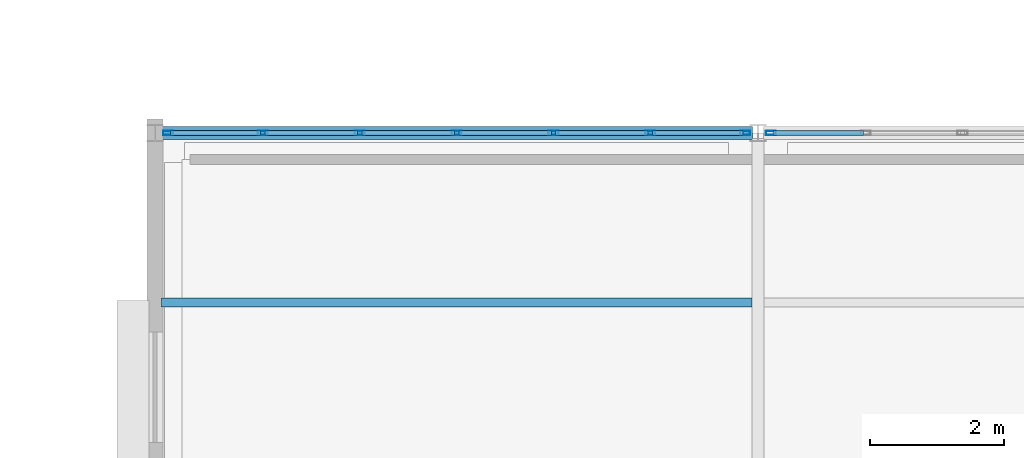
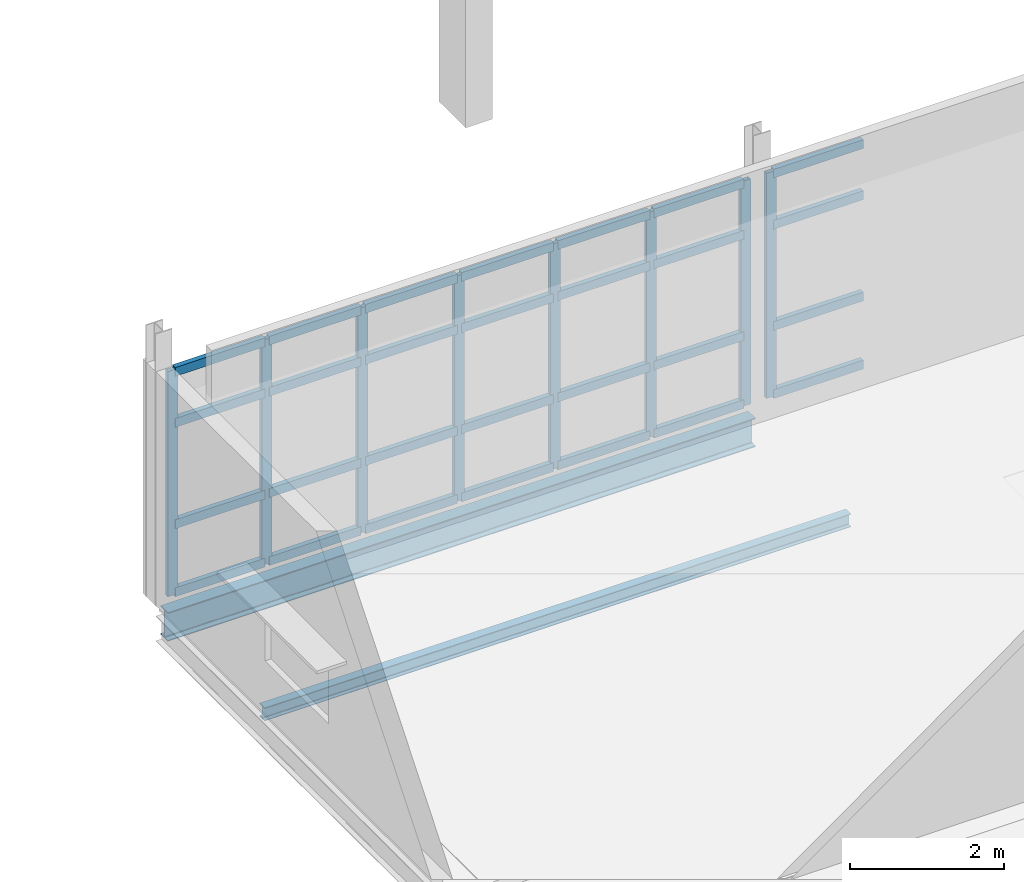
# One storey, part 79 of 166: 36 members, 2 beams, 2 elements without a shape of their own.
"""IFC4 building model written with IfcOpenShell, lengths in metres."""

from ifc_helpers import new_model, si_unit, direction, frame, origin, origin_2d, place, context, subcontext, project, spatial, hollow_rectangle, i_section, extrude, material, material_profile, profile_set, type_object, element, aggregate, save


model = new_model("IFC4")

# Units and contexts
model_context = context("Model", 3, precision=1e-05, world=origin(), true_north=direction((0.0, 1.0)))
body_context = subcontext(model_context, "Body", "Model", "MODEL_VIEW")
ifc_project = project(units=[si_unit("LENGTHUNIT", "METRE"), si_unit("AREAUNIT", "SQUARE_METRE"), si_unit("VOLUMEUNIT", "CUBIC_METRE"), si_unit("PLANEANGLEUNIT", "RADIAN"), si_unit("MASSUNIT", "GRAM", prefix="KILO")], contexts=[model_context])

# Site, building, storey
site_placement = place(None, origin())
site = spatial("IfcSite", under=ifc_project, at=site_placement, CompositionType="ELEMENT")
building_placement = place(site_placement, origin())
building = spatial("IfcBuilding", under=site, at=building_placement, Name="Caisbarro Railhouse Central Library", CompositionType="ELEMENT")
storey_placement = place(building_placement, frame((0.0, 0.0, 9.360107421875)))
storey = spatial("IfcBuildingStorey", under=building, at=storey_placement, Name="L02", CompositionType="ELEMENT", Elevation=9.360107421875)

# Beams
ifc_material_1 = material(Name="Steel ASTM A572 Grade 50", Category="steel")
ifc_material_profile_1 = material_profile(ifc_material_1, i_section(OverallWidth=0.133056640625, OverallDepth=0.20703125, WebThickness=0.005859375, FlangeThickness=0.00830078125, FilletRadius=0.010009765625, at=origin_2d()), Name="W200X26.6")
ifc_profile_set_1 = profile_set([ifc_material_profile_1], Name="Steel ASTM A572 Grade 50")
beam_type_1 = type_object("IfcBeamType", Name="BM-J07", PredefinedType="JOIST", material=ifc_profile_set_1)
beam_1_placement = place(storey_placement, frame((54.089111328125, 103.86669921875, -0.3037109375), z_axis=(1.0, 0.0, 0.0), x_axis=(0.0, 1.0, 0.0)))
element("IfcBeam", 1, at=beam_1_placement, inside=storey, type_object=beam_type_1, Name="J07 beam L02 #1695", PredefinedType="JOIST", context=body_context, shape_type="SweptSolid", body=[
    extrude(i_section(OverallWidth=0.133056640625, OverallDepth=0.20703125, WebThickness=0.005859375, FlangeThickness=0.00830078125, FilletRadius=0.010009765625, at=origin_2d()), origin(), (0.0, 0.0, 1.0), 8.82177734375),
])
ifc_material_profile_2 = material_profile(ifc_material_1, i_section(OverallWidth=0.18994140625, OverallDepth=0.45703125, WebThickness=0.009033203125, FlangeThickness=0.014404296875, FilletRadius=0.01806640625, at=origin_2d()), Name="W460X74.0")
ifc_profile_set_2 = profile_set([ifc_material_profile_2], Name="Steel ASTM A572 Grade 50")
beam_type_2 = type_object("IfcBeamType", Name="BM-SP01", PredefinedType="SPANDREL", material=ifc_profile_set_2)
beam_2_placement = place(storey_placement, frame((54.080078125, 106.39990234375, -0.4287109375), z_axis=(1.0, 0.0, 0.0), x_axis=(0.0, 1.0, 0.0)))
element("IfcBeam", 2, at=beam_2_placement, inside=storey, type_object=beam_type_2, Name="SP01 beam L02 #1667", PredefinedType="SPANDREL", context=body_context, shape_type="SweptSolid", body=[
    extrude(i_section(OverallWidth=0.18994140625, OverallDepth=0.45703125, WebThickness=0.009033203125, FlangeThickness=0.014404296875, FilletRadius=0.01806640625, at=origin_2d()), origin(), (0.0, 0.0, 1.0), 8.83984375),
])

# Curtain wall, members
ifc_material_2 = material(Name="Anodised architectural aluminium", Category="aluminium")
curtain_wall_type = type_object("IfcCurtainWallType", Name="CW-CW03", PredefinedType="NOTDEFINED", material=ifc_material_2)
curtain_wall_1_placement = place(storey_placement, origin())
curtain_wall_1 = element("IfcCurtainWall", 3, at=curtain_wall_1_placement, inside=storey, type_object=curtain_wall_type, Name="CW03 curtain wall L02 #180", PredefinedType="NOTDEFINED")
ifc_material_profile_3 = material_profile(ifc_material_2, hollow_rectangle(XDim=0.06494140625, YDim=0.14990234375, WallThickness=0.00390625, at=origin_2d()), Name="ALU-MUL-65X150")
ifc_profile_set_3 = profile_set([ifc_material_profile_3], Name="Anodised architectural aluminium")
member_type_1 = type_object("IfcMemberType", Name="CWM-M02", PredefinedType="MULLION", material=ifc_profile_set_3)
member_1_placement = place(storey_placement, frame((54.1923828125, 106.39990234375, 0.0), z_axis=(0.0, 0.0, 1.0), x_axis=(0.0, 1.0, 0.0)))
member_1 = element("IfcMember", 4, at=member_1_placement, type_object=member_type_1, Name="CW03 mullion 1", PredefinedType="MULLION", context=body_context, shape_type="SweptSolid", body=[
    extrude(hollow_rectangle(XDim=0.06494140625, YDim=0.14990234375, WallThickness=0.00390625, at=origin_2d()), origin(), (0.0, 0.0, 1.0), 3.579833984375),
])
member_2_placement = place(storey_placement, frame((55.606689453125, 106.39990234375, 0.0), z_axis=(0.0, 0.0, 1.0), x_axis=(0.0, 1.0, 0.0)))
member_2 = element("IfcMember", 5, at=member_2_placement, type_object=member_type_1, Name="CW03 mullion 2", PredefinedType="MULLION", context=body_context, shape_type="SweptSolid", body=[
    extrude(hollow_rectangle(XDim=0.06494140625, YDim=0.14990234375, WallThickness=0.00390625, at=origin_2d()), origin(), (0.0, 0.0, 1.0), 3.579833984375),
])
member_3_placement = place(storey_placement, frame((57.05322265625, 106.39990234375, 0.0), z_axis=(0.0, 0.0, 1.0), x_axis=(0.0, 1.0, 0.0)))
member_3 = element("IfcMember", 6, at=member_3_placement, type_object=member_type_1, Name="CW03 mullion 3", PredefinedType="MULLION", context=body_context, shape_type="SweptSolid", body=[
    extrude(hollow_rectangle(XDim=0.06494140625, YDim=0.14990234375, WallThickness=0.00390625, at=origin_2d()), origin(), (0.0, 0.0, 1.0), 3.579833984375),
])
member_4_placement = place(storey_placement, frame((58.5, 106.39990234375, 0.0), z_axis=(0.0, 0.0, 1.0), x_axis=(0.0, 1.0, 0.0)))
member_4 = element("IfcMember", 7, at=member_4_placement, type_object=member_type_1, Name="CW03 mullion 4", PredefinedType="MULLION", context=body_context, shape_type="SweptSolid", body=[
    extrude(hollow_rectangle(XDim=0.06494140625, YDim=0.14990234375, WallThickness=0.00390625, at=origin_2d()), origin(), (0.0, 0.0, 1.0), 3.579833984375),
])
member_5_placement = place(storey_placement, frame((59.94677734375, 106.39990234375, 0.0), z_axis=(0.0, 0.0, 1.0), x_axis=(0.0, 1.0, 0.0)))
member_5 = element("IfcMember", 8, at=member_5_placement, type_object=member_type_1, Name="CW03 mullion 5", PredefinedType="MULLION", context=body_context, shape_type="SweptSolid", body=[
    extrude(hollow_rectangle(XDim=0.06494140625, YDim=0.14990234375, WallThickness=0.00390625, at=origin_2d()), origin(), (0.0, 0.0, 1.0), 3.579833984375),
])
member_6_placement = place(storey_placement, frame((61.393310546875, 106.39990234375, 0.0), z_axis=(0.0, 0.0, 1.0), x_axis=(0.0, 1.0, 0.0)))
member_6 = element("IfcMember", 9, at=member_6_placement, type_object=member_type_1, Name="CW03 mullion 6", PredefinedType="MULLION", context=body_context, shape_type="SweptSolid", body=[
    extrude(hollow_rectangle(XDim=0.06494140625, YDim=0.14990234375, WallThickness=0.00390625, at=origin_2d()), origin(), (0.0, 0.0, 1.0), 3.579833984375),
])
member_7_placement = place(storey_placement, frame((62.8076171875, 106.39990234375, 0.0), z_axis=(0.0, 0.0, 1.0), x_axis=(0.0, 1.0, 0.0)))
member_7 = element("IfcMember", 10, at=member_7_placement, type_object=member_type_1, Name="CW03 mullion 7", PredefinedType="MULLION", context=body_context, shape_type="SweptSolid", body=[
    extrude(hollow_rectangle(XDim=0.06494140625, YDim=0.14990234375, WallThickness=0.00390625, at=origin_2d()), origin(), (0.0, 0.0, 1.0), 3.579833984375),
])

# Curtain wall, member
curtain_wall_2_placement = place(storey_placement, origin())
curtain_wall_2 = element("IfcCurtainWall", 11, at=curtain_wall_2_placement, inside=storey, type_object=curtain_wall_type, Name="CW03 curtain wall L02 #181", PredefinedType="NOTDEFINED")
member_8_placement = place(storey_placement, frame((63.1923828125, 106.39990234375, 0.0), z_axis=(0.0, 0.0, 1.0), x_axis=(0.0, 1.0, 0.0)))
member_8 = element("IfcMember", 12, at=member_8_placement, type_object=member_type_1, Name="CW03 mullion 1", PredefinedType="MULLION", context=body_context, shape_type="SweptSolid", body=[
    extrude(hollow_rectangle(XDim=0.06494140625, YDim=0.14990234375, WallThickness=0.00390625, at=origin_2d()), origin(), (0.0, 0.0, 1.0), 3.579833984375),
])

# Member
ifc_material_profile_4 = material_profile(ifc_material_2, hollow_rectangle(XDim=0.074951171875, YDim=0.139892578125, WallThickness=0.00390625, at=origin_2d()), Name="ALU-TRN-75X140")
ifc_profile_set_4 = profile_set([ifc_material_profile_4], Name="Anodised architectural aluminium")
member_type_2 = type_object("IfcMemberType", Name="CWT-T01", PredefinedType="USERDEFINED", material=ifc_profile_set_4)
member_9_placement = place(storey_placement, frame((54.22509765625, 106.39990234375, 0.037353515625), z_axis=(1.0, 0.0, 0.0), x_axis=(0.0, 1.0, 0.0)))
member_9 = element("IfcMember", 13, at=member_9_placement, type_object=member_type_2, Name="CW03 transom 1.1", ObjectType="TRANSOM", PredefinedType="USERDEFINED", context=body_context, shape_type="SweptSolid", body=[
    extrude(hollow_rectangle(XDim=0.074951171875, YDim=0.139892578125, WallThickness=0.00390625, at=origin_2d()), origin(), (0.0, 0.0, 1.0), 1.34912109375),
])

member_10_placement = place(storey_placement, frame((54.22509765625, 106.39990234375, 1.119873046875), z_axis=(1.0, 0.0, 0.0), x_axis=(0.0, 1.0, 0.0)))
member_10 = element("IfcMember", 14, at=member_10_placement, type_object=member_type_2, Name="CW03 transom 1.2", ObjectType="TRANSOM", PredefinedType="USERDEFINED", context=body_context, shape_type="SweptSolid", body=[
    extrude(hollow_rectangle(XDim=0.074951171875, YDim=0.139892578125, WallThickness=0.00390625, at=origin_2d()), origin(), (0.0, 0.0, 1.0), 1.34912109375),
])

member_11_placement = place(storey_placement, frame((54.22509765625, 106.39990234375, 2.72998046875), z_axis=(1.0, 0.0, 0.0), x_axis=(0.0, 1.0, 0.0)))
member_11 = element("IfcMember", 15, at=member_11_placement, type_object=member_type_2, Name="CW03 transom 1.3", ObjectType="TRANSOM", PredefinedType="USERDEFINED", context=body_context, shape_type="SweptSolid", body=[
    extrude(hollow_rectangle(XDim=0.074951171875, YDim=0.139892578125, WallThickness=0.00390625, at=origin_2d()), origin(), (0.0, 0.0, 1.0), 1.34912109375),
])

member_12_placement = place(storey_placement, frame((54.22509765625, 106.39990234375, 3.54248046875), z_axis=(1.0, 0.0, 0.0), x_axis=(0.0, 1.0, 0.0)))
member_12 = element("IfcMember", 16, at=member_12_placement, type_object=member_type_2, Name="CW03 transom 1.4", ObjectType="TRANSOM", PredefinedType="USERDEFINED", context=body_context, shape_type="SweptSolid", body=[
    extrude(hollow_rectangle(XDim=0.074951171875, YDim=0.139892578125, WallThickness=0.00390625, at=origin_2d()), origin(), (0.0, 0.0, 1.0), 1.34912109375),
])

member_13_placement = place(storey_placement, frame((55.63916015625, 106.39990234375, 0.037353515625), z_axis=(1.0, 0.0, 0.0), x_axis=(0.0, 1.0, 0.0)))
member_13 = element("IfcMember", 17, at=member_13_placement, type_object=member_type_2, Name="CW03 transom 2.1", ObjectType="TRANSOM", PredefinedType="USERDEFINED", context=body_context, shape_type="SweptSolid", body=[
    extrude(hollow_rectangle(XDim=0.074951171875, YDim=0.139892578125, WallThickness=0.00390625, at=origin_2d()), origin(), (0.0, 0.0, 1.0), 1.381591796875),
])

member_14_placement = place(storey_placement, frame((55.63916015625, 106.39990234375, 1.119873046875), z_axis=(1.0, 0.0, 0.0), x_axis=(0.0, 1.0, 0.0)))
member_14 = element("IfcMember", 18, at=member_14_placement, type_object=member_type_2, Name="CW03 transom 2.2", ObjectType="TRANSOM", PredefinedType="USERDEFINED", context=body_context, shape_type="SweptSolid", body=[
    extrude(hollow_rectangle(XDim=0.074951171875, YDim=0.139892578125, WallThickness=0.00390625, at=origin_2d()), origin(), (0.0, 0.0, 1.0), 1.381591796875),
])

member_15_placement = place(storey_placement, frame((55.63916015625, 106.39990234375, 2.72998046875), z_axis=(1.0, 0.0, 0.0), x_axis=(0.0, 1.0, 0.0)))
member_15 = element("IfcMember", 19, at=member_15_placement, type_object=member_type_2, Name="CW03 transom 2.3", ObjectType="TRANSOM", PredefinedType="USERDEFINED", context=body_context, shape_type="SweptSolid", body=[
    extrude(hollow_rectangle(XDim=0.074951171875, YDim=0.139892578125, WallThickness=0.00390625, at=origin_2d()), origin(), (0.0, 0.0, 1.0), 1.381591796875),
])

member_16_placement = place(storey_placement, frame((55.63916015625, 106.39990234375, 3.54248046875), z_axis=(1.0, 0.0, 0.0), x_axis=(0.0, 1.0, 0.0)))
member_16 = element("IfcMember", 20, at=member_16_placement, type_object=member_type_2, Name="CW03 transom 2.4", ObjectType="TRANSOM", PredefinedType="USERDEFINED", context=body_context, shape_type="SweptSolid", body=[
    extrude(hollow_rectangle(XDim=0.074951171875, YDim=0.139892578125, WallThickness=0.00390625, at=origin_2d()), origin(), (0.0, 0.0, 1.0), 1.381591796875),
])

member_17_placement = place(storey_placement, frame((57.0859375, 106.39990234375, 0.037353515625), z_axis=(1.0, 0.0, 0.0), x_axis=(0.0, 1.0, 0.0)))
member_17 = element("IfcMember", 21, at=member_17_placement, type_object=member_type_2, Name="CW03 transom 3.1", ObjectType="TRANSOM", PredefinedType="USERDEFINED", context=body_context, shape_type="SweptSolid", body=[
    extrude(hollow_rectangle(XDim=0.074951171875, YDim=0.139892578125, WallThickness=0.00390625, at=origin_2d()), origin(), (0.0, 0.0, 1.0), 1.381591796875),
])

member_18_placement = place(storey_placement, frame((57.0859375, 106.39990234375, 1.119873046875), z_axis=(1.0, 0.0, 0.0), x_axis=(0.0, 1.0, 0.0)))
member_18 = element("IfcMember", 22, at=member_18_placement, type_object=member_type_2, Name="CW03 transom 3.2", ObjectType="TRANSOM", PredefinedType="USERDEFINED", context=body_context, shape_type="SweptSolid", body=[
    extrude(hollow_rectangle(XDim=0.074951171875, YDim=0.139892578125, WallThickness=0.00390625, at=origin_2d()), origin(), (0.0, 0.0, 1.0), 1.381591796875),
])

member_19_placement = place(storey_placement, frame((57.0859375, 106.39990234375, 2.72998046875), z_axis=(1.0, 0.0, 0.0), x_axis=(0.0, 1.0, 0.0)))
member_19 = element("IfcMember", 23, at=member_19_placement, type_object=member_type_2, Name="CW03 transom 3.3", ObjectType="TRANSOM", PredefinedType="USERDEFINED", context=body_context, shape_type="SweptSolid", body=[
    extrude(hollow_rectangle(XDim=0.074951171875, YDim=0.139892578125, WallThickness=0.00390625, at=origin_2d()), origin(), (0.0, 0.0, 1.0), 1.381591796875),
])

member_20_placement = place(storey_placement, frame((57.0859375, 106.39990234375, 3.54248046875), z_axis=(1.0, 0.0, 0.0), x_axis=(0.0, 1.0, 0.0)))
member_20 = element("IfcMember", 24, at=member_20_placement, type_object=member_type_2, Name="CW03 transom 3.4", ObjectType="TRANSOM", PredefinedType="USERDEFINED", context=body_context, shape_type="SweptSolid", body=[
    extrude(hollow_rectangle(XDim=0.074951171875, YDim=0.139892578125, WallThickness=0.00390625, at=origin_2d()), origin(), (0.0, 0.0, 1.0), 1.381591796875),
])

member_21_placement = place(storey_placement, frame((58.532470703125, 106.39990234375, 0.037353515625), z_axis=(1.0, 0.0, 0.0), x_axis=(0.0, 1.0, 0.0)))
member_21 = element("IfcMember", 25, at=member_21_placement, type_object=member_type_2, Name="CW03 transom 4.1", ObjectType="TRANSOM", PredefinedType="USERDEFINED", context=body_context, shape_type="SweptSolid", body=[
    extrude(hollow_rectangle(XDim=0.074951171875, YDim=0.139892578125, WallThickness=0.00390625, at=origin_2d()), origin(), (0.0, 0.0, 1.0), 1.381591796875),
])

member_22_placement = place(storey_placement, frame((58.532470703125, 106.39990234375, 1.119873046875), z_axis=(1.0, 0.0, 0.0), x_axis=(0.0, 1.0, 0.0)))
member_22 = element("IfcMember", 26, at=member_22_placement, type_object=member_type_2, Name="CW03 transom 4.2", ObjectType="TRANSOM", PredefinedType="USERDEFINED", context=body_context, shape_type="SweptSolid", body=[
    extrude(hollow_rectangle(XDim=0.074951171875, YDim=0.139892578125, WallThickness=0.00390625, at=origin_2d()), origin(), (0.0, 0.0, 1.0), 1.381591796875),
])

member_23_placement = place(storey_placement, frame((58.532470703125, 106.39990234375, 2.72998046875), z_axis=(1.0, 0.0, 0.0), x_axis=(0.0, 1.0, 0.0)))
member_23 = element("IfcMember", 27, at=member_23_placement, type_object=member_type_2, Name="CW03 transom 4.3", ObjectType="TRANSOM", PredefinedType="USERDEFINED", context=body_context, shape_type="SweptSolid", body=[
    extrude(hollow_rectangle(XDim=0.074951171875, YDim=0.139892578125, WallThickness=0.00390625, at=origin_2d()), origin(), (0.0, 0.0, 1.0), 1.381591796875),
])

member_24_placement = place(storey_placement, frame((58.532470703125, 106.39990234375, 3.54248046875), z_axis=(1.0, 0.0, 0.0), x_axis=(0.0, 1.0, 0.0)))
member_24 = element("IfcMember", 28, at=member_24_placement, type_object=member_type_2, Name="CW03 transom 4.4", ObjectType="TRANSOM", PredefinedType="USERDEFINED", context=body_context, shape_type="SweptSolid", body=[
    extrude(hollow_rectangle(XDim=0.074951171875, YDim=0.139892578125, WallThickness=0.00390625, at=origin_2d()), origin(), (0.0, 0.0, 1.0), 1.381591796875),
])

member_25_placement = place(storey_placement, frame((59.979248046875, 106.39990234375, 0.037353515625), z_axis=(1.0, 0.0, 0.0), x_axis=(0.0, 1.0, 0.0)))
member_25 = element("IfcMember", 29, at=member_25_placement, type_object=member_type_2, Name="CW03 transom 5.1", ObjectType="TRANSOM", PredefinedType="USERDEFINED", context=body_context, shape_type="SweptSolid", body=[
    extrude(hollow_rectangle(XDim=0.074951171875, YDim=0.139892578125, WallThickness=0.00390625, at=origin_2d()), origin(), (0.0, 0.0, 1.0), 1.381591796875),
])

member_26_placement = place(storey_placement, frame((59.979248046875, 106.39990234375, 1.119873046875), z_axis=(1.0, 0.0, 0.0), x_axis=(0.0, 1.0, 0.0)))
member_26 = element("IfcMember", 30, at=member_26_placement, type_object=member_type_2, Name="CW03 transom 5.2", ObjectType="TRANSOM", PredefinedType="USERDEFINED", context=body_context, shape_type="SweptSolid", body=[
    extrude(hollow_rectangle(XDim=0.074951171875, YDim=0.139892578125, WallThickness=0.00390625, at=origin_2d()), origin(), (0.0, 0.0, 1.0), 1.381591796875),
])

member_27_placement = place(storey_placement, frame((59.979248046875, 106.39990234375, 2.72998046875), z_axis=(1.0, 0.0, 0.0), x_axis=(0.0, 1.0, 0.0)))
member_27 = element("IfcMember", 31, at=member_27_placement, type_object=member_type_2, Name="CW03 transom 5.3", ObjectType="TRANSOM", PredefinedType="USERDEFINED", context=body_context, shape_type="SweptSolid", body=[
    extrude(hollow_rectangle(XDim=0.074951171875, YDim=0.139892578125, WallThickness=0.00390625, at=origin_2d()), origin(), (0.0, 0.0, 1.0), 1.381591796875),
])

member_28_placement = place(storey_placement, frame((59.979248046875, 106.39990234375, 3.54248046875), z_axis=(1.0, 0.0, 0.0), x_axis=(0.0, 1.0, 0.0)))
member_28 = element("IfcMember", 32, at=member_28_placement, type_object=member_type_2, Name="CW03 transom 5.4", ObjectType="TRANSOM", PredefinedType="USERDEFINED", context=body_context, shape_type="SweptSolid", body=[
    extrude(hollow_rectangle(XDim=0.074951171875, YDim=0.139892578125, WallThickness=0.00390625, at=origin_2d()), origin(), (0.0, 0.0, 1.0), 1.381591796875),
])

member_29_placement = place(storey_placement, frame((61.42578125, 106.39990234375, 0.037353515625), z_axis=(1.0, 0.0, 0.0), x_axis=(0.0, 1.0, 0.0)))
member_29 = element("IfcMember", 33, at=member_29_placement, type_object=member_type_2, Name="CW03 transom 6.1", ObjectType="TRANSOM", PredefinedType="USERDEFINED", context=body_context, shape_type="SweptSolid", body=[
    extrude(hollow_rectangle(XDim=0.074951171875, YDim=0.139892578125, WallThickness=0.00390625, at=origin_2d()), origin(), (0.0, 0.0, 1.0), 1.34912109375),
])

member_30_placement = place(storey_placement, frame((61.42578125, 106.39990234375, 1.119873046875), z_axis=(1.0, 0.0, 0.0), x_axis=(0.0, 1.0, 0.0)))
member_30 = element("IfcMember", 34, at=member_30_placement, type_object=member_type_2, Name="CW03 transom 6.2", ObjectType="TRANSOM", PredefinedType="USERDEFINED", context=body_context, shape_type="SweptSolid", body=[
    extrude(hollow_rectangle(XDim=0.074951171875, YDim=0.139892578125, WallThickness=0.00390625, at=origin_2d()), origin(), (0.0, 0.0, 1.0), 1.34912109375),
])

member_31_placement = place(storey_placement, frame((61.42578125, 106.39990234375, 2.72998046875), z_axis=(1.0, 0.0, 0.0), x_axis=(0.0, 1.0, 0.0)))
member_31 = element("IfcMember", 35, at=member_31_placement, type_object=member_type_2, Name="CW03 transom 6.3", ObjectType="TRANSOM", PredefinedType="USERDEFINED", context=body_context, shape_type="SweptSolid", body=[
    extrude(hollow_rectangle(XDim=0.074951171875, YDim=0.139892578125, WallThickness=0.00390625, at=origin_2d()), origin(), (0.0, 0.0, 1.0), 1.34912109375),
])

member_32_placement = place(storey_placement, frame((61.42578125, 106.39990234375, 3.54248046875), z_axis=(1.0, 0.0, 0.0), x_axis=(0.0, 1.0, 0.0)))
member_32 = element("IfcMember", 36, at=member_32_placement, type_object=member_type_2, Name="CW03 transom 6.4", ObjectType="TRANSOM", PredefinedType="USERDEFINED", context=body_context, shape_type="SweptSolid", body=[
    extrude(hollow_rectangle(XDim=0.074951171875, YDim=0.139892578125, WallThickness=0.00390625, at=origin_2d()), origin(), (0.0, 0.0, 1.0), 1.34912109375),
])

aggregate(curtain_wall_1, [member_1, member_2, member_3, member_4, member_5, member_6, member_7, member_9, member_10, member_11, member_12, member_13, member_14, member_15, member_16, member_17, member_18, member_19, member_20, member_21, member_22, member_23, member_24, member_25, member_26, member_27, member_28, member_29, member_30, member_31, member_32])

member_33_placement = place(storey_placement, frame((63.22509765625, 106.39990234375, 0.037353515625), z_axis=(1.0, 0.0, 0.0), x_axis=(0.0, 1.0, 0.0)))
member_33 = element("IfcMember", 37, at=member_33_placement, type_object=member_type_2, Name="CW03 transom 1.1", ObjectType="TRANSOM", PredefinedType="USERDEFINED", context=body_context, shape_type="SweptSolid", body=[
    extrude(hollow_rectangle(XDim=0.074951171875, YDim=0.139892578125, WallThickness=0.00390625, at=origin_2d()), origin(), (0.0, 0.0, 1.0), 1.34912109375),
])

member_34_placement = place(storey_placement, frame((63.22509765625, 106.39990234375, 1.119873046875), z_axis=(1.0, 0.0, 0.0), x_axis=(0.0, 1.0, 0.0)))
member_34 = element("IfcMember", 38, at=member_34_placement, type_object=member_type_2, Name="CW03 transom 1.2", ObjectType="TRANSOM", PredefinedType="USERDEFINED", context=body_context, shape_type="SweptSolid", body=[
    extrude(hollow_rectangle(XDim=0.074951171875, YDim=0.139892578125, WallThickness=0.00390625, at=origin_2d()), origin(), (0.0, 0.0, 1.0), 1.34912109375),
])

member_35_placement = place(storey_placement, frame((63.22509765625, 106.39990234375, 2.72998046875), z_axis=(1.0, 0.0, 0.0), x_axis=(0.0, 1.0, 0.0)))
member_35 = element("IfcMember", 39, at=member_35_placement, type_object=member_type_2, Name="CW03 transom 1.3", ObjectType="TRANSOM", PredefinedType="USERDEFINED", context=body_context, shape_type="SweptSolid", body=[
    extrude(hollow_rectangle(XDim=0.074951171875, YDim=0.139892578125, WallThickness=0.00390625, at=origin_2d()), origin(), (0.0, 0.0, 1.0), 1.34912109375),
])

member_36_placement = place(storey_placement, frame((63.22509765625, 106.39990234375, 3.54248046875), z_axis=(1.0, 0.0, 0.0), x_axis=(0.0, 1.0, 0.0)))
member_36 = element("IfcMember", 40, at=member_36_placement, type_object=member_type_2, Name="CW03 transom 1.4", ObjectType="TRANSOM", PredefinedType="USERDEFINED", context=body_context, shape_type="SweptSolid", body=[
    extrude(hollow_rectangle(XDim=0.074951171875, YDim=0.139892578125, WallThickness=0.00390625, at=origin_2d()), origin(), (0.0, 0.0, 1.0), 1.34912109375),
])

aggregate(curtain_wall_2, [member_8, member_33, member_34, member_35, member_36])

save(model, "model.ifc")
